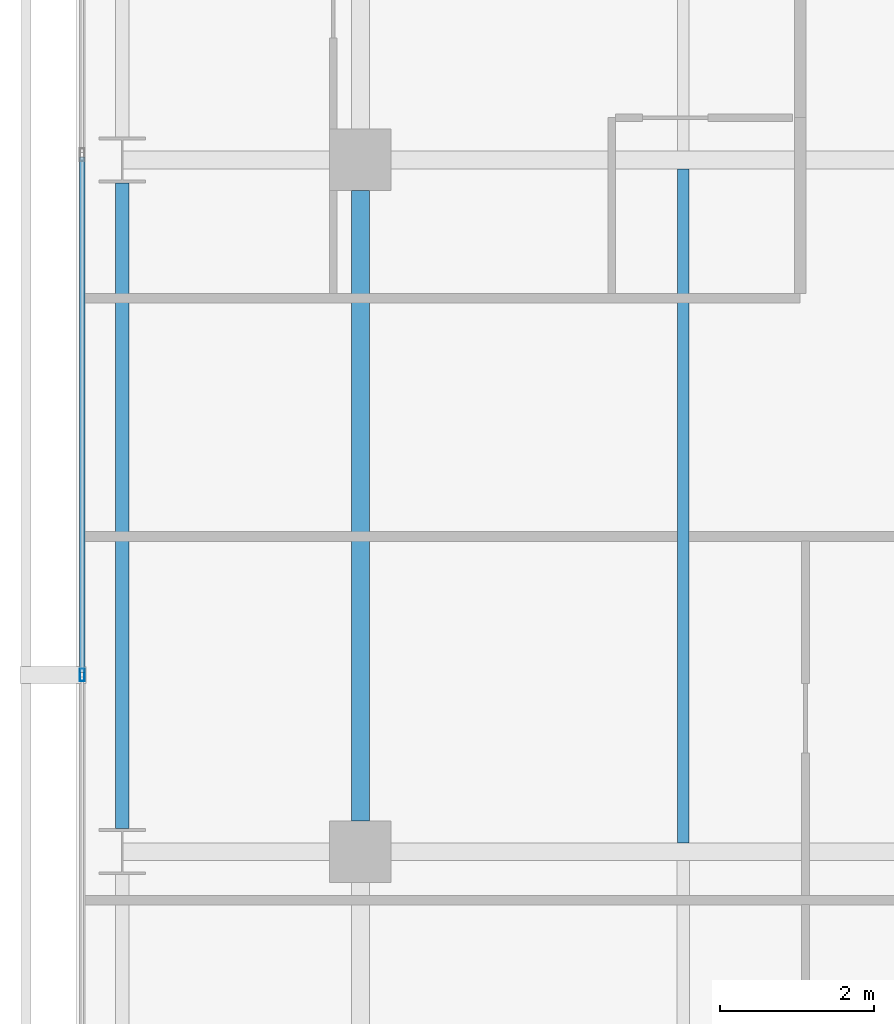
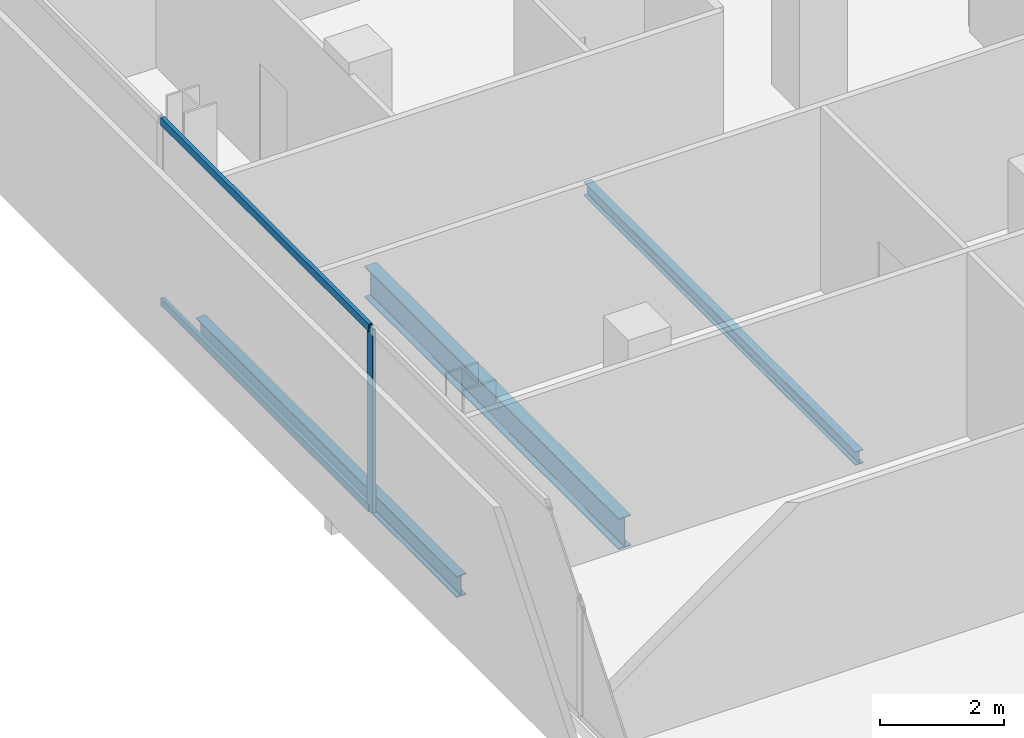
# One storey, part 10 of 33: 3 beams, 3 members, 1 element without a shape of its own.
"""IFC4 building model written with IfcOpenShell, lengths in metres."""

from ifc_helpers import new_model, si_unit, direction, frame, origin, origin_2d, place, context, subcontext, project, spatial, hollow_rectangle, i_section, extrude, material, layer, layer_set, material_profile, profile_set, type_object, element, aggregate, save


model = new_model("IFC4")

# Units and contexts
model_context = context("Model", 3, precision=1e-05, world=origin(), true_north=direction((0.0, 1.0)))
body_context = subcontext(model_context, "Body", "Model", "MODEL_VIEW")
ifc_project = project(units=[si_unit("LENGTHUNIT", "METRE"), si_unit("AREAUNIT", "SQUARE_METRE"), si_unit("VOLUMEUNIT", "CUBIC_METRE"), si_unit("PLANEANGLEUNIT", "RADIAN"), si_unit("MASSUNIT", "GRAM", prefix="KILO")], contexts=[model_context])

# Site, building, storey
site_placement = place(None, origin())
site = spatial("IfcSite", under=ifc_project, at=site_placement, CompositionType="ELEMENT")
building_placement = place(site_placement, origin())
building = spatial("IfcBuilding", under=site, at=building_placement, Name="Maruvema Waterfront Hotel and Observation Tower", CompositionType="ELEMENT")
storey_placement = place(building_placement, frame((0.0, 0.0, 138.949951171875)))
storey = spatial("IfcBuildingStorey", under=building, at=storey_placement, Name="L33", CompositionType="ELEMENT", Elevation=138.949951171875)

# Curtain wall, members
ifc_material_1 = material(Name="Anodised bronze aluminium and solar-control low-E IGU", Category="aluminium")
ifc_layer = layer(ifc_material_1, 0.159912109375, Name="Zone 2 Amber Inner Thermal Curtain Wall System CW-03")
ifc_layer_set = layer_set([ifc_layer], Name="Anodised bronze aluminium and solar-control low-E IGU")
curtain_wall_type = type_object("IfcCurtainWallType", Name="Zone 2 Amber Inner Thermal Curtain Wall System CW-03", PredefinedType="USERDEFINED", material=ifc_layer_set)
curtain_wall_placement = place(storey_placement, origin())
curtain_wall = element("IfcCurtainWall", 1, at=curtain_wall_placement, inside=storey, type_object=curtain_wall_type, Name="L33 Curtain Wall CW-L33-W", ObjectType="UNITISED CURTAIN WALL", PredefinedType="USERDEFINED")
ifc_material_2 = material(Name="Anodised architectural bronze aluminium", Category="aluminium")
ifc_material_profile_1 = material_profile(ifc_material_2, hollow_rectangle(XDim=0.070068359375, YDim=0.14990234375, WallThickness=0.00390625, at=origin_2d()), Name="ALU-T70x150")
ifc_profile_set_1 = profile_set([ifc_material_profile_1], Name="Anodised architectural bronze aluminium")
member_type_1 = type_object("IfcMemberType", Name="Curtain Wall Horizontal Transom ALU-T70x150", PredefinedType="USERDEFINED", material=ifc_profile_set_1)
member_1_placement = place(storey_placement, frame((13.179931640625, 36.03662109375, 0.030029296875), z_axis=(0.0, -1.0, 0.0), x_axis=(1.0, 0.0, 0.0)))
member_1 = element("IfcMember", 2, at=member_1_placement, type_object=member_type_1, Name="CW-03 transom 3.1", ObjectType="TRANSOM", PredefinedType="USERDEFINED", context=body_context, shape_type="SweptSolid", body=[
    extrude(hollow_rectangle(XDim=0.070068359375, YDim=0.14990234375, WallThickness=0.00390625, at=origin_2d()), origin(), (0.0, 0.0, 1.0), 6.70654296875),
])
member_2_placement = place(storey_placement, frame((13.179931640625, 36.03662109375, 3.580078125), z_axis=(0.0, -1.0, 0.0), x_axis=(1.0, 0.0, 0.0)))
member_2 = element("IfcMember", 3, at=member_2_placement, type_object=member_type_1, Name="CW-03 transom 3.2", ObjectType="TRANSOM", PredefinedType="USERDEFINED", context=body_context, shape_type="SweptSolid", body=[
    extrude(hollow_rectangle(XDim=0.070068359375, YDim=0.14990234375, WallThickness=0.00390625, at=origin_2d()), origin(), (0.0, 0.0, 1.0), 6.70654296875),
])
ifc_material_3 = material(Name="Anodised architectural bronze aluminium", Category="aluminium")
ifc_material_profile_2 = material_profile(ifc_material_3, hollow_rectangle(XDim=0.06494140625, YDim=0.1650390625, WallThickness=0.00390625, at=origin_2d()), Name="ALU-M65x165")
ifc_profile_set_2 = profile_set([ifc_material_profile_2], Name="Anodised architectural bronze aluminium")
member_type_2 = type_object("IfcMemberType", Name="Curtain Wall Primary Mullion ALU-M65x165", PredefinedType="MULLION", material=ifc_profile_set_2)
member_3_placement = place(storey_placement, frame((13.179931640625, 29.300048828125, 0.0), z_axis=(0.0, 0.0, 1.0), x_axis=(1.0, 0.0, 0.0)))
member_3 = element("IfcMember", 4, at=member_3_placement, type_object=member_type_2, Name="CW-03 mullion 4", PredefinedType="MULLION", context=body_context, shape_type="SweptSolid", body=[
    extrude(hollow_rectangle(XDim=0.06494140625, YDim=0.1650390625, WallThickness=0.00390625, at=origin_2d()), origin(), (0.0, 0.0, 1.0), 3.610107421875),
])
aggregate(curtain_wall, [member_3, member_1, member_2])

# Beams
ifc_material_4 = material(Name="Steel ASTM A572 Grade 50", Category="steel")
ifc_material_profile_3 = material_profile(ifc_material_4, i_section(OverallWidth=0.180908203125, OverallDepth=0.4169921875, WebThickness=0.010986328125, FlangeThickness=0.018310546875, FilletRadius=0.014892578125, at=origin_2d()), Name="W410x85.0")
ifc_profile_set_3 = profile_set([ifc_material_profile_3], Name="Steel ASTM A572 Grade 50")
beam_type_1 = type_object("IfcBeamType", Name="Perimeter Spandrel Beam W410x85.0", PredefinedType="SPANDREL", material=ifc_profile_set_3)
beam_1_placement = place(storey_placement, frame((13.699951171875, 27.300048828125, -0.448486328125), z_axis=(0.0, 1.0, 0.0), x_axis=(-1.0, 0.0, 0.0)))
element("IfcBeam", 5, at=beam_1_placement, inside=storey, type_object=beam_type_1, Name="L33 Floor Girder NS-03", PredefinedType="SPANDREL", context=body_context, shape_type="SweptSolid", body=[
    extrude(i_section(OverallWidth=0.180908203125, OverallDepth=0.4169921875, WebThickness=0.010986328125, FlangeThickness=0.018310546875, FilletRadius=0.014892578125, at=origin_2d()), origin(), (0.0, 0.0, 1.0), 8.39990234375),
])
ifc_material_5 = material(Name="Steel ASTM A572 Grade 50", Category="steel")
ifc_material_profile_4 = material_profile(ifc_material_5, i_section(OverallWidth=0.22900390625, OverallDepth=0.612060546875, WebThickness=0.011962890625, FlangeThickness=0.01953125, FilletRadius=0.01806640625, at=origin_2d()), Name="W610x125.0")
ifc_profile_set_4 = profile_set([ifc_material_profile_4], Name="Steel ASTM A572 Grade 50")
beam_type_2 = type_object("IfcBeamType", Name="Primary Floor Girder W610x125.0", PredefinedType="BEAM", material=ifc_profile_set_4)
beam_2_placement = place(storey_placement, frame((16.800048828125, 27.39990234375, -0.5458984375), z_axis=(0.0, 1.0, 0.0), x_axis=(-1.0, 0.0, 0.0)))
element("IfcBeam", 6, at=beam_2_placement, inside=storey, type_object=beam_type_2, Name="L33 Floor Girder NS-07", PredefinedType="BEAM", context=body_context, shape_type="SweptSolid", body=[
    extrude(i_section(OverallWidth=0.22900390625, OverallDepth=0.612060546875, WebThickness=0.011962890625, FlangeThickness=0.01953125, FilletRadius=0.01806640625, at=origin_2d()), origin(), (0.0, 0.0, 1.0), 8.2001953125),
])
ifc_material_6 = material(Name="Steel ASTM A572 Grade 50", Category="steel")
ifc_material_profile_5 = material_profile(ifc_material_6, i_section(OverallWidth=0.14794921875, OverallDepth=0.26611328125, WebThickness=0.007568359375, FlangeThickness=0.012939453125, FilletRadius=0.012939453125, at=origin_2d()), Name="W250x44.8")
ifc_profile_set_5 = profile_set([ifc_material_profile_5], Name="Steel ASTM A572 Grade 50")
beam_type_3 = type_object("IfcBeamType", Name="Secondary Floor Joist W250x44.8", PredefinedType="JOIST", material=ifc_profile_set_5)
beam_3_placement = place(storey_placement, frame((21.0, 27.114501953125, -0.373046875), z_axis=(0.0, 1.0, 0.0), x_axis=(-1.0, 0.0, 0.0)))
element("IfcBeam", 7, at=beam_3_placement, inside=storey, type_object=beam_type_3, Name="L33 Secondary Floor Joist JS-03", PredefinedType="JOIST", context=body_context, shape_type="SweptSolid", body=[
    extrude(i_section(OverallWidth=0.14794921875, OverallDepth=0.26611328125, WebThickness=0.007568359375, FlangeThickness=0.012939453125, FilletRadius=0.012939453125, at=origin_2d()), origin(), (0.0, 0.0, 1.0), 8.77099609375),
])

save(model, "model.ifc")
